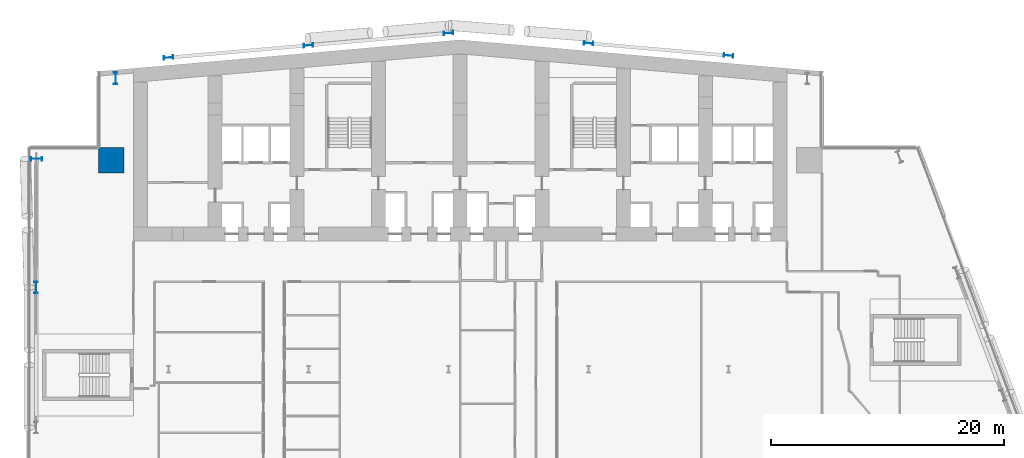
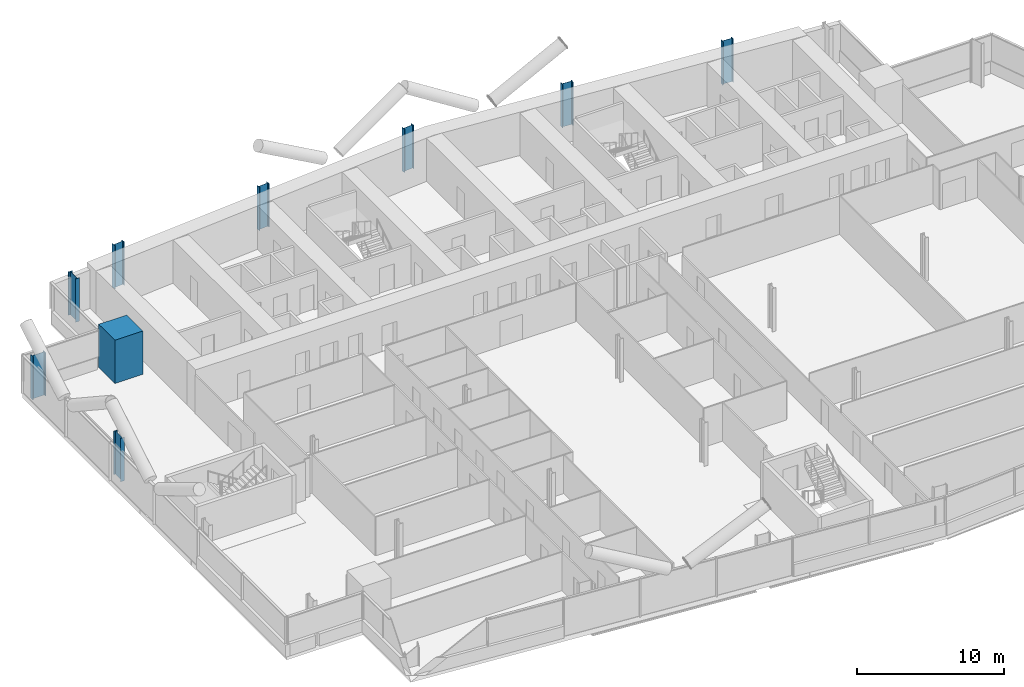
# One storey, part 2 of 27: 9 columns.
"""IFC4 building model written with IfcOpenShell, lengths in metres."""

from ifc_helpers import new_model, si_unit, direction, frame, origin, origin_2d, place, context, subcontext, project, spatial, rectangle, i_section, extrude, material, material_profile, profile_set, type_object, element, save


model = new_model("IFC4")

# Units and contexts
model_context = context("Model", 3, precision=1e-05, world=origin(), true_north=direction((0.0, 1.0)))
body_context = subcontext(model_context, "Body", "Model", "MODEL_VIEW")
ifc_project = project(units=[si_unit("LENGTHUNIT", "METRE"), si_unit("AREAUNIT", "SQUARE_METRE"), si_unit("VOLUMEUNIT", "CUBIC_METRE"), si_unit("PLANEANGLEUNIT", "RADIAN"), si_unit("MASSUNIT", "GRAM", prefix="KILO")], contexts=[model_context])

# Site, building, storey
site_placement = place(None, origin())
site = spatial("IfcSite", under=ifc_project, at=site_placement, CompositionType="ELEMENT")
building_placement = place(site_placement, origin())
building = spatial("IfcBuilding", under=site, at=building_placement, Name="Wharfspan Tower", CompositionType="ELEMENT")
storey_placement = place(building_placement, frame((0.0, 0.0, 77.5)))
storey = spatial("IfcBuildingStorey", under=building, at=storey_placement, Name="L16", CompositionType="ELEMENT", Elevation=77.5)

# Columns
ifc_material_1 = material(Name="Steel S355J2", Category="steel")
ifc_material_profile_1 = material_profile(ifc_material_1, i_section(OverallWidth=0.302002, OverallDepth=1.008057, WebThickness=0.020996, FlangeThickness=0.040039, FilletRadius=0.030029, at=origin_2d()))
ifc_profile_set_1 = profile_set([ifc_material_profile_1], Name="Steel S355J2")
column_type_1 = type_object("IfcColumnType", Name="Column HEM 1000", PredefinedType="COLUMN", material=ifc_profile_set_1)
for number, where, z_axis, x_axis, name in (
    (1, (7.466553, 47.933594, 0.0), (0.0, 0.0, 1.0), (-1.0, 0.0, 0.0), "Perimeter column PNRW-V.1 L16"),
    (2, (0.684814, 41.03418, 0.0), (0.0, 0.0, 1.0), (0.0, 1.0, 0.0), "Perimeter column PNRW-H.1 L16"),
    (3, (0.659912, 30.0, 0.0), (0.0, 0.0, 1.0), (-1.0, 0.0, 0.0), "Perimeter column PW.1 L16"),
):
    element("IfcColumn", number, at=place(storey_placement, frame(where, z_axis=z_axis, x_axis=x_axis)), inside=storey, type_object=column_type_1, Name=name, PredefinedType="COLUMN", context=body_context, shape_type="SweptSolid", body=[
        extrude(i_section(OverallWidth=0.302002, OverallDepth=1.008057, WebThickness=0.020996, FlangeThickness=0.040039, FilletRadius=0.030029, at=origin_2d()), origin(), (0.0, 0.0, 1.0), 3.600098),
    ])
ifc_material_profile_2 = material_profile(ifc_material_1, i_section(OverallWidth=0.302979, OverallDepth=0.813965, WebThickness=0.020996, FlangeThickness=0.040039, FilletRadius=0.030029, at=origin_2d()))
ifc_profile_set_2 = profile_set([ifc_material_profile_2], Name="Steel S355J2")
column_type_2 = type_object("IfcColumnType", Name="Column HEM 800", PredefinedType="COLUMN", material=ifc_profile_set_2)
for number, where, z_axis, x_axis, name in (
    (4, (12.0, 49.709961, 0.0), (0.0, 0.0, 1.0), (-0.087156, 0.996197, 0.0), "Rear column R.1 L16"),
    (5, (24.0, 50.759766, 0.0), (0.0, 0.0, 1.0), (-0.087156, 0.996197, 0.0), "Rear column R.2 L16"),
    (6, (36.0, 51.80957, 0.0), (0.0, 0.0, 1.0), (-0.087156, 0.996197, 0.0), "Rear column R.3 L16"),
    (7, (48.0, 50.934814, 0.0), (0.0, 0.0, 1.0), (0.087156, 0.996197, 0.0), "Rear column R.4 L16"),
    (8, (60.0, 49.884766, 0.0), (0.0, 0.0, 1.0), (0.087156, 0.996197, 0.0), "Rear column R.5 L16"),
):
    element("IfcColumn", number, at=place(storey_placement, frame(where, z_axis=z_axis, x_axis=x_axis)), inside=storey, type_object=column_type_2, Name=name, PredefinedType="COLUMN", context=body_context, shape_type="SweptSolid", body=[
        extrude(i_section(OverallWidth=0.302979, OverallDepth=0.813965, WebThickness=0.020996, FlangeThickness=0.040039, FilletRadius=0.030029, at=origin_2d()), origin(), (0.0, 0.0, 1.0), 3.600098),
    ])
ifc_material_2 = material(Name="Concrete C70/85", Category="concrete")
ifc_material_profile_3 = material_profile(ifc_material_2, rectangle(XDim=2.199951, YDim=2.199951, at=origin_2d()))
ifc_profile_set_3 = profile_set([ifc_material_profile_3], Name="Concrete C70/85")
column_type_3 = type_object("IfcColumnType", Name="Mega column 2200 C70/85", PredefinedType="COLUMN", material=ifc_profile_set_3)
column_placement = place(storey_placement, frame((7.100098, 40.899902, 0.0), z_axis=(0.0, 0.0, 1.0), x_axis=(1.0, 0.0, 0.0)))
element("IfcColumn", 9, at=column_placement, inside=storey, type_object=column_type_3, Name="Mega column MC2 L16", PredefinedType="COLUMN", context=body_context, shape_type="SweptSolid", body=[
    extrude(rectangle(XDim=2.199951, YDim=2.199951, at=origin_2d()), origin(), (0.0, 0.0, 1.0), 3.600098),
])

save(model, "model.ifc")
